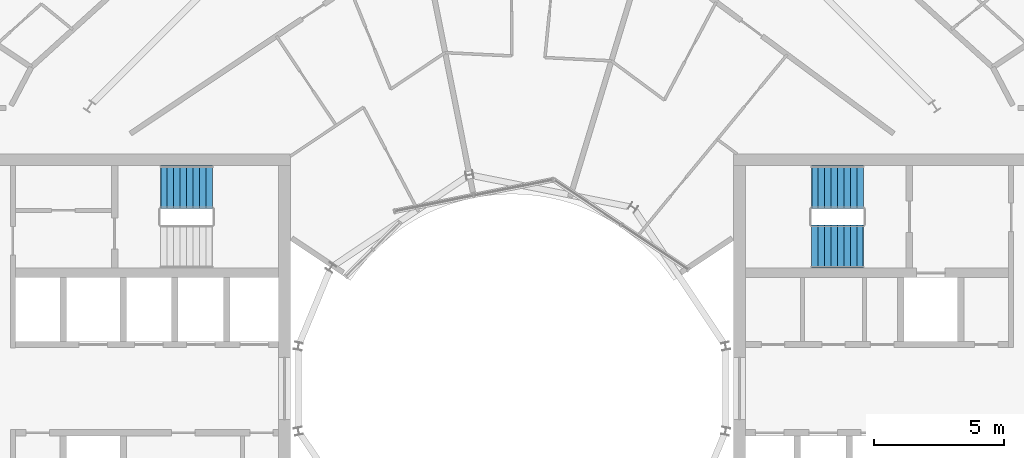
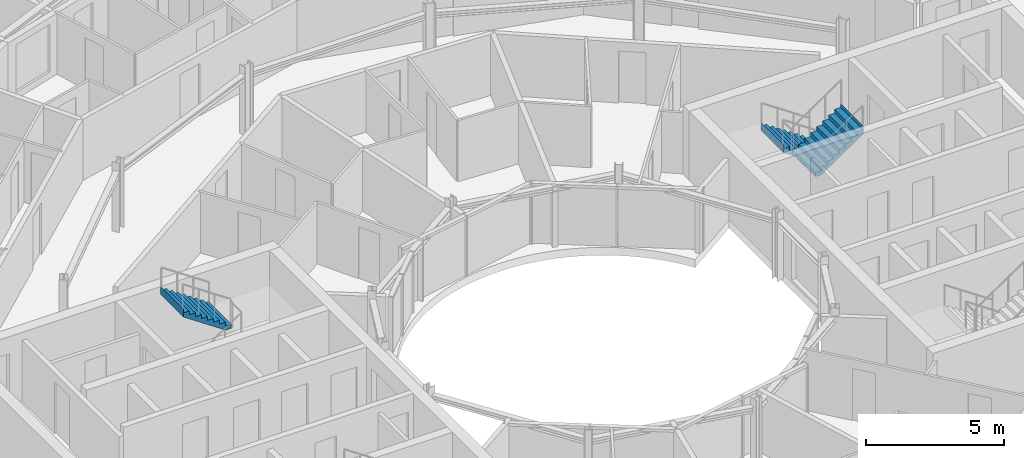
# One storey, part 27 of 29: 3 stair flights, 2 elements without a shape of their own.
"""IFC4 building model written with IfcOpenShell, lengths in metres."""

from ifc_helpers import new_model, si_unit, direction, frame, origin, place, context, subcontext, project, spatial, triangles, material, type_object, element, aggregate, save


model = new_model("IFC4")

# Units and contexts
model_context = context("Model", 3, precision=1e-05, world=origin(), true_north=direction((0.0, 1.0)))
body_context = subcontext(model_context, "Body", "Model", "MODEL_VIEW")
ifc_project = project(units=[si_unit("LENGTHUNIT", "METRE"), si_unit("AREAUNIT", "SQUARE_METRE"), si_unit("VOLUMEUNIT", "CUBIC_METRE"), si_unit("PLANEANGLEUNIT", "RADIAN"), si_unit("MASSUNIT", "GRAM", prefix="KILO")], contexts=[model_context])

# Site, building, storey
site_placement = place(None, origin())
site = spatial("IfcSite", under=ifc_project, at=site_placement, CompositionType="ELEMENT")
building_placement = place(site_placement, origin())
building = spatial("IfcBuilding", under=site, at=building_placement, Name="Maasbend Ring Residences", CompositionType="ELEMENT")
storey_placement = place(building_placement, frame((0.0, 0.0, 193.25)))
storey = spatial("IfcBuildingStorey", under=building, at=storey_placement, Name="L55", CompositionType="ELEMENT", Elevation=193.25)

# Stair, stair flights
ifc_material_1 = material(Name="Concrete C40/50", Category="concrete")
stair_type = type_object("IfcStairType", Name="CORE STAIR 18 RISERS", PredefinedType="HALF_TURN_STAIR", material=ifc_material_1)
stair_1_placement = place(storey_placement, origin())
stair_1 = element("IfcStair", 1, at=stair_1_placement, inside=storey, type_object=stair_type, Name="L55 Exit stair ST-E1", PredefinedType="HALF_TURN_STAIR")
ifc_material_2 = material(Name="Concrete C40/50", Category="concrete")
stair_flight_type = type_object("IfcStairFlightType", Name="CORE STAIR FLIGHT 1650", PredefinedType="STRAIGHT", material=ifc_material_2)
stair_flight_1_placement = place(storey_placement, frame((13.550048828125, 7.77490234375, 0.0), z_axis=(0.0, 0.0, 1.0), x_axis=(-1.0, 0.0, 0.0)))
stair_flight_1 = element("IfcStairFlight", 2, at=stair_flight_1_placement, type_object=stair_flight_type, Name="ST-E1 flight 1", NumberOfRisers=9, NumberOfTreads=8, PredefinedType="STRAIGHT", RiserHeight=0.169444444, TreadLength=0.25, context=body_context, shape_type="Tessellation", body=[
    triangles([(0.24072265625, 0.824951171875, -0.02001953125), (2.0029296875, 0.824951171875, 1.174560546875), (2.0029296875, 0.824951171875, 1.52490234375), (1.989990234375, 0.824951171875, 1.35546875), (1.75, 0.824951171875, 1.35546875), (1.75, 0.824951171875, 1.18603515625), (1.5, 0.824951171875, 1.18603515625), (1.5, 0.824951171875, 1.0166015625), (1.25, 0.824951171875, 1.0166015625), (1.25, 0.824951171875, 0.84716796875), (1.0, 0.824951171875, 0.84716796875), (1.0, 0.824951171875, 0.677734375), (0.75, 0.824951171875, 0.677734375), (0.75, 0.824951171875, 0.50830078125), (0.5, 0.824951171875, 0.50830078125), (0.5, 0.824951171875, 0.3388671875), (0.25, 0.824951171875, 0.3388671875), (0.25, 0.824951171875, 0.16943359375), (0.0, 0.824951171875, 0.16943359375), (0.0, 0.824951171875, 0.0), (-0.0029296875, 0.824951171875, 0.0), (-0.0029296875, 0.824951171875, -0.02001953125), (0.24072265625, 0.27490234375, -0.02001953125), (2.0029296875, 0.27490234375, 1.174560546875), (2.0029296875, 0.27490234375, 1.52490234375), (1.989990234375, 0.27490234375, 1.35546875), (1.75, 0.27490234375, 1.35546875), (1.75, 0.27490234375, 1.18603515625), (1.5, 0.27490234375, 1.18603515625), (1.5, 0.27490234375, 1.0166015625), (1.25, 0.27490234375, 1.0166015625), (1.25, 0.27490234375, 0.84716796875), (1.0, 0.27490234375, 0.84716796875), (1.0, 0.27490234375, 0.677734375), (0.75, 0.27490234375, 0.677734375), (0.75, 0.27490234375, 0.50830078125), (0.5, 0.27490234375, 0.50830078125), (0.5, 0.27490234375, 0.3388671875), (0.25, 0.27490234375, 0.3388671875), (0.25, 0.27490234375, 0.16943359375), (0.0, 0.27490234375, 0.16943359375), (0.0, 0.27490234375, 0.0), (-0.0029296875, 0.27490234375, 0.0), (-0.0029296875, 0.27490234375, -0.02001953125), (0.24072265625, -0.27490234375, -0.02001953125), (2.0029296875, -0.27490234375, 1.174560546875), (2.0029296875, -0.27490234375, 1.52490234375), (1.989990234375, -0.27490234375, 1.35546875), (1.75, -0.27490234375, 1.35546875), (1.75, -0.27490234375, 1.18603515625), (1.5, -0.27490234375, 1.18603515625), (1.5, -0.27490234375, 1.0166015625), (1.25, -0.27490234375, 1.0166015625), (1.25, -0.27490234375, 0.84716796875), (1.0, -0.27490234375, 0.84716796875), (1.0, -0.27490234375, 0.677734375), (0.75, -0.27490234375, 0.677734375), (0.75, -0.27490234375, 0.50830078125), (0.5, -0.27490234375, 0.50830078125), (0.5, -0.27490234375, 0.3388671875), (0.25, -0.27490234375, 0.3388671875), (0.25, -0.27490234375, 0.16943359375), (0.0, -0.27490234375, 0.16943359375), (0.0, -0.27490234375, 0.0), (-0.0029296875, -0.27490234375, 0.0), (-0.0029296875, -0.27490234375, -0.02001953125), (0.24072265625, -0.824951171875, -0.02001953125), (2.0029296875, -0.824951171875, 1.174560546875), (2.0029296875, -0.824951171875, 1.52490234375), (1.989990234375, -0.824951171875, 1.35546875), (1.75, -0.824951171875, 1.35546875), (1.75, -0.824951171875, 1.18603515625), (1.5, -0.824951171875, 1.18603515625), (1.5, -0.824951171875, 1.0166015625), (1.25, -0.824951171875, 1.0166015625), (1.25, -0.824951171875, 0.84716796875), (1.0, -0.824951171875, 0.84716796875), (1.0, -0.824951171875, 0.677734375), (0.75, -0.824951171875, 0.677734375), (0.75, -0.824951171875, 0.50830078125), (0.5, -0.824951171875, 0.50830078125), (0.5, -0.824951171875, 0.3388671875), (0.25, -0.824951171875, 0.3388671875), (0.25, -0.824951171875, 0.16943359375), (0.0, -0.824951171875, 0.16943359375), (0.0, -0.824951171875, 0.0), (-0.0029296875, -0.824951171875, 0.0), (-0.0029296875, -0.824951171875, -0.02001953125)], [[1, 2, 24], [1, 24, 23], [23, 24, 46], [23, 46, 45], [45, 46, 68], [45, 68, 67], [2, 3, 25], [2, 25, 24], [24, 25, 47], [24, 47, 46], [46, 47, 69], [46, 69, 68], [3, 4, 26], [3, 26, 25], [25, 26, 48], [25, 48, 47], [47, 48, 70], [47, 70, 69], [4, 5, 27], [4, 27, 26], [26, 27, 49], [26, 49, 48], [48, 49, 71], [48, 71, 70], [5, 6, 28], [5, 28, 27], [27, 28, 50], [27, 50, 49], [49, 50, 72], [49, 72, 71], [6, 7, 29], [6, 29, 28], [28, 29, 51], [28, 51, 50], [50, 51, 73], [50, 73, 72], [7, 8, 30], [7, 30, 29], [29, 30, 52], [29, 52, 51], [51, 52, 74], [51, 74, 73], [8, 9, 31], [8, 31, 30], [30, 31, 53], [30, 53, 52], [52, 53, 75], [52, 75, 74], [9, 10, 32], [9, 32, 31], [31, 32, 54], [31, 54, 53], [53, 54, 76], [53, 76, 75], [10, 11, 33], [10, 33, 32], [32, 33, 55], [32, 55, 54], [54, 55, 77], [54, 77, 76], [11, 12, 34], [11, 34, 33], [33, 34, 56], [33, 56, 55], [55, 56, 78], [55, 78, 77], [12, 13, 35], [12, 35, 34], [34, 35, 57], [34, 57, 56], [56, 57, 79], [56, 79, 78], [13, 14, 36], [13, 36, 35], [35, 36, 58], [35, 58, 57], [57, 58, 80], [57, 80, 79], [14, 15, 37], [14, 37, 36], [36, 37, 59], [36, 59, 58], [58, 59, 81], [58, 81, 80], [15, 16, 38], [15, 38, 37], [37, 38, 60], [37, 60, 59], [59, 60, 82], [59, 82, 81], [16, 17, 39], [16, 39, 38], [38, 39, 61], [38, 61, 60], [60, 61, 83], [60, 83, 82], [17, 18, 40], [17, 40, 39], [39, 40, 62], [39, 62, 61], [61, 62, 84], [61, 84, 83], [18, 19, 41], [18, 41, 40], [40, 41, 63], [40, 63, 62], [62, 63, 85], [62, 85, 84], [19, 20, 42], [19, 42, 41], [41, 42, 64], [41, 64, 63], [63, 64, 86], [63, 86, 85], [20, 21, 43], [20, 43, 42], [42, 43, 65], [42, 65, 64], [64, 65, 87], [64, 87, 86], [21, 22, 44], [21, 44, 43], [43, 44, 66], [43, 66, 65], [65, 66, 88], [65, 88, 87], [22, 1, 23], [22, 23, 44], [44, 23, 45], [44, 45, 66], [66, 45, 67], [66, 67, 88], [22, 2, 1], [2, 4, 3], [2, 5, 4], [2, 6, 5], [22, 6, 2], [6, 8, 7], [22, 8, 6], [8, 10, 9], [22, 10, 8], [10, 12, 11], [22, 12, 10], [12, 14, 13], [22, 14, 12], [14, 16, 15], [22, 16, 14], [16, 18, 17], [22, 18, 16], [18, 20, 19], [22, 20, 18], [20, 22, 21], [88, 67, 68], [68, 69, 70], [68, 70, 71], [68, 71, 72], [88, 68, 72], [72, 73, 74], [88, 72, 74], [74, 75, 76], [88, 74, 76], [76, 77, 78], [88, 76, 78], [78, 79, 80], [88, 78, 80], [80, 81, 82], [88, 80, 82], [82, 83, 84], [88, 82, 84], [84, 85, 86], [88, 84, 86], [86, 87, 88]], closed=True),
])
stair_flight_2_placement = place(storey_placement, frame((11.550048828125, 5.47509765625, 1.52490234375), z_axis=(0.0, 0.0, 1.0), x_axis=(1.0, 0.0, 0.0)))
stair_flight_2 = element("IfcStairFlight", 3, at=stair_flight_2_placement, type_object=stair_flight_type, Name="ST-E1 flight 2", NumberOfRisers=9, NumberOfTreads=8, PredefinedType="STRAIGHT", RiserHeight=0.169444444, TreadLength=0.25, context=body_context, shape_type="Tessellation", body=[
    triangles([(0.24072265625, 0.824951171875, -0.02001953125), (2.0029296875, 0.824951171875, 1.174560546875), (2.0029296875, 0.824951171875, 1.52490234375), (1.989990234375, 0.824951171875, 1.35546875), (1.75, 0.824951171875, 1.35546875), (1.75, 0.824951171875, 1.18603515625), (1.5, 0.824951171875, 1.18603515625), (1.5, 0.824951171875, 1.0166015625), (1.25, 0.824951171875, 1.0166015625), (1.25, 0.824951171875, 0.84716796875), (1.0, 0.824951171875, 0.84716796875), (1.0, 0.824951171875, 0.677734375), (0.75, 0.824951171875, 0.677734375), (0.75, 0.824951171875, 0.50830078125), (0.5, 0.824951171875, 0.50830078125), (0.5, 0.824951171875, 0.3388671875), (0.25, 0.824951171875, 0.3388671875), (0.25, 0.824951171875, 0.16943359375), (0.0, 0.824951171875, 0.16943359375), (0.0, 0.824951171875, 0.0), (-0.0029296875, 0.824951171875, 0.0), (-0.0029296875, 0.824951171875, -0.02001953125), (0.24072265625, 0.27490234375, -0.02001953125), (2.0029296875, 0.27490234375, 1.174560546875), (2.0029296875, 0.27490234375, 1.52490234375), (1.989990234375, 0.27490234375, 1.35546875), (1.75, 0.27490234375, 1.35546875), (1.75, 0.27490234375, 1.18603515625), (1.5, 0.27490234375, 1.18603515625), (1.5, 0.27490234375, 1.0166015625), (1.25, 0.27490234375, 1.0166015625), (1.25, 0.27490234375, 0.84716796875), (1.0, 0.27490234375, 0.84716796875), (1.0, 0.27490234375, 0.677734375), (0.75, 0.27490234375, 0.677734375), (0.75, 0.27490234375, 0.50830078125), (0.5, 0.27490234375, 0.50830078125), (0.5, 0.27490234375, 0.3388671875), (0.25, 0.27490234375, 0.3388671875), (0.25, 0.27490234375, 0.16943359375), (0.0, 0.27490234375, 0.16943359375), (0.0, 0.27490234375, 0.0), (-0.0029296875, 0.27490234375, 0.0), (-0.0029296875, 0.27490234375, -0.02001953125), (0.24072265625, -0.27490234375, -0.02001953125), (2.0029296875, -0.27490234375, 1.174560546875), (2.0029296875, -0.27490234375, 1.52490234375), (1.989990234375, -0.27490234375, 1.35546875), (1.75, -0.27490234375, 1.35546875), (1.75, -0.27490234375, 1.18603515625), (1.5, -0.27490234375, 1.18603515625), (1.5, -0.27490234375, 1.0166015625), (1.25, -0.27490234375, 1.0166015625), (1.25, -0.27490234375, 0.84716796875), (1.0, -0.27490234375, 0.84716796875), (1.0, -0.27490234375, 0.677734375), (0.75, -0.27490234375, 0.677734375), (0.75, -0.27490234375, 0.50830078125), (0.5, -0.27490234375, 0.50830078125), (0.5, -0.27490234375, 0.3388671875), (0.25, -0.27490234375, 0.3388671875), (0.25, -0.27490234375, 0.16943359375), (0.0, -0.27490234375, 0.16943359375), (0.0, -0.27490234375, 0.0), (-0.0029296875, -0.27490234375, 0.0), (-0.0029296875, -0.27490234375, -0.02001953125), (0.24072265625, -0.824951171875, -0.02001953125), (2.0029296875, -0.824951171875, 1.174560546875), (2.0029296875, -0.824951171875, 1.52490234375), (1.989990234375, -0.824951171875, 1.35546875), (1.75, -0.824951171875, 1.35546875), (1.75, -0.824951171875, 1.18603515625), (1.5, -0.824951171875, 1.18603515625), (1.5, -0.824951171875, 1.0166015625), (1.25, -0.824951171875, 1.0166015625), (1.25, -0.824951171875, 0.84716796875), (1.0, -0.824951171875, 0.84716796875), (1.0, -0.824951171875, 0.677734375), (0.75, -0.824951171875, 0.677734375), (0.75, -0.824951171875, 0.50830078125), (0.5, -0.824951171875, 0.50830078125), (0.5, -0.824951171875, 0.3388671875), (0.25, -0.824951171875, 0.3388671875), (0.25, -0.824951171875, 0.16943359375), (0.0, -0.824951171875, 0.16943359375), (0.0, -0.824951171875, 0.0), (-0.0029296875, -0.824951171875, 0.0), (-0.0029296875, -0.824951171875, -0.02001953125)], [[1, 2, 24], [1, 24, 23], [23, 24, 46], [23, 46, 45], [45, 46, 68], [45, 68, 67], [2, 3, 25], [2, 25, 24], [24, 25, 47], [24, 47, 46], [46, 47, 69], [46, 69, 68], [3, 4, 26], [3, 26, 25], [25, 26, 48], [25, 48, 47], [47, 48, 70], [47, 70, 69], [4, 5, 27], [4, 27, 26], [26, 27, 49], [26, 49, 48], [48, 49, 71], [48, 71, 70], [5, 6, 28], [5, 28, 27], [27, 28, 50], [27, 50, 49], [49, 50, 72], [49, 72, 71], [6, 7, 29], [6, 29, 28], [28, 29, 51], [28, 51, 50], [50, 51, 73], [50, 73, 72], [7, 8, 30], [7, 30, 29], [29, 30, 52], [29, 52, 51], [51, 52, 74], [51, 74, 73], [8, 9, 31], [8, 31, 30], [30, 31, 53], [30, 53, 52], [52, 53, 75], [52, 75, 74], [9, 10, 32], [9, 32, 31], [31, 32, 54], [31, 54, 53], [53, 54, 76], [53, 76, 75], [10, 11, 33], [10, 33, 32], [32, 33, 55], [32, 55, 54], [54, 55, 77], [54, 77, 76], [11, 12, 34], [11, 34, 33], [33, 34, 56], [33, 56, 55], [55, 56, 78], [55, 78, 77], [12, 13, 35], [12, 35, 34], [34, 35, 57], [34, 57, 56], [56, 57, 79], [56, 79, 78], [13, 14, 36], [13, 36, 35], [35, 36, 58], [35, 58, 57], [57, 58, 80], [57, 80, 79], [14, 15, 37], [14, 37, 36], [36, 37, 59], [36, 59, 58], [58, 59, 81], [58, 81, 80], [15, 16, 38], [15, 38, 37], [37, 38, 60], [37, 60, 59], [59, 60, 82], [59, 82, 81], [16, 17, 39], [16, 39, 38], [38, 39, 61], [38, 61, 60], [60, 61, 83], [60, 83, 82], [17, 18, 40], [17, 40, 39], [39, 40, 62], [39, 62, 61], [61, 62, 84], [61, 84, 83], [18, 19, 41], [18, 41, 40], [40, 41, 63], [40, 63, 62], [62, 63, 85], [62, 85, 84], [19, 20, 42], [19, 42, 41], [41, 42, 64], [41, 64, 63], [63, 64, 86], [63, 86, 85], [20, 21, 43], [20, 43, 42], [42, 43, 65], [42, 65, 64], [64, 65, 87], [64, 87, 86], [21, 22, 44], [21, 44, 43], [43, 44, 66], [43, 66, 65], [65, 66, 88], [65, 88, 87], [22, 1, 23], [22, 23, 44], [44, 23, 45], [44, 45, 66], [66, 45, 67], [66, 67, 88], [22, 2, 1], [2, 4, 3], [2, 5, 4], [2, 6, 5], [22, 6, 2], [6, 8, 7], [22, 8, 6], [8, 10, 9], [22, 10, 8], [10, 12, 11], [22, 12, 10], [12, 14, 13], [22, 14, 12], [14, 16, 15], [22, 16, 14], [16, 18, 17], [22, 18, 16], [18, 20, 19], [22, 20, 18], [20, 22, 21], [88, 67, 68], [68, 69, 70], [68, 70, 71], [68, 71, 72], [88, 68, 72], [72, 73, 74], [88, 72, 74], [74, 75, 76], [88, 74, 76], [76, 77, 78], [88, 76, 78], [78, 79, 80], [88, 78, 80], [80, 81, 82], [88, 80, 82], [82, 83, 84], [88, 82, 84], [84, 85, 86], [88, 84, 86], [86, 87, 88]], closed=True),
])
aggregate(stair_1, [stair_flight_1, stair_flight_2])

# Stair, stair flight
stair_2_placement = place(storey_placement, origin())
stair_2 = element("IfcStair", 4, at=stair_2_placement, inside=storey, type_object=stair_type, Name="L55 Exit stair ST-W2", PredefinedType="HALF_TURN_STAIR")
stair_flight_3_placement = place(storey_placement, frame((-11.550048828125, 7.77490234375, 1.52490234375), z_axis=(0.0, 0.0, 1.0), x_axis=(-1.0, 0.0, 0.0)))
stair_flight_3 = element("IfcStairFlight", 5, at=stair_flight_3_placement, type_object=stair_flight_type, Name="ST-W2 flight 2", NumberOfRisers=9, NumberOfTreads=8, PredefinedType="STRAIGHT", RiserHeight=0.169444444, TreadLength=0.25, context=body_context, shape_type="Tessellation", body=[
    triangles([(0.24072265625, 0.824951171875, -0.02001953125), (2.0029296875, 0.824951171875, 1.174560546875), (2.0029296875, 0.824951171875, 1.52490234375), (1.989990234375, 0.824951171875, 1.35546875), (1.75, 0.824951171875, 1.35546875), (1.75, 0.824951171875, 1.18603515625), (1.5, 0.824951171875, 1.18603515625), (1.5, 0.824951171875, 1.0166015625), (1.25, 0.824951171875, 1.0166015625), (1.25, 0.824951171875, 0.84716796875), (1.0, 0.824951171875, 0.84716796875), (1.0, 0.824951171875, 0.677734375), (0.75, 0.824951171875, 0.677734375), (0.75, 0.824951171875, 0.50830078125), (0.5, 0.824951171875, 0.50830078125), (0.5, 0.824951171875, 0.3388671875), (0.25, 0.824951171875, 0.3388671875), (0.25, 0.824951171875, 0.16943359375), (0.0, 0.824951171875, 0.16943359375), (0.0, 0.824951171875, 0.0), (-0.0029296875, 0.824951171875, 0.0), (-0.0029296875, 0.824951171875, -0.02001953125), (0.24072265625, 0.27490234375, -0.02001953125), (2.0029296875, 0.27490234375, 1.174560546875), (2.0029296875, 0.27490234375, 1.52490234375), (1.989990234375, 0.27490234375, 1.35546875), (1.75, 0.27490234375, 1.35546875), (1.75, 0.27490234375, 1.18603515625), (1.5, 0.27490234375, 1.18603515625), (1.5, 0.27490234375, 1.0166015625), (1.25, 0.27490234375, 1.0166015625), (1.25, 0.27490234375, 0.84716796875), (1.0, 0.27490234375, 0.84716796875), (1.0, 0.27490234375, 0.677734375), (0.75, 0.27490234375, 0.677734375), (0.75, 0.27490234375, 0.50830078125), (0.5, 0.27490234375, 0.50830078125), (0.5, 0.27490234375, 0.3388671875), (0.25, 0.27490234375, 0.3388671875), (0.25, 0.27490234375, 0.16943359375), (0.0, 0.27490234375, 0.16943359375), (0.0, 0.27490234375, 0.0), (-0.0029296875, 0.27490234375, 0.0), (-0.0029296875, 0.27490234375, -0.02001953125), (0.24072265625, -0.27490234375, -0.02001953125), (2.0029296875, -0.27490234375, 1.174560546875), (2.0029296875, -0.27490234375, 1.52490234375), (1.989990234375, -0.27490234375, 1.35546875), (1.75, -0.27490234375, 1.35546875), (1.75, -0.27490234375, 1.18603515625), (1.5, -0.27490234375, 1.18603515625), (1.5, -0.27490234375, 1.0166015625), (1.25, -0.27490234375, 1.0166015625), (1.25, -0.27490234375, 0.84716796875), (1.0, -0.27490234375, 0.84716796875), (1.0, -0.27490234375, 0.677734375), (0.75, -0.27490234375, 0.677734375), (0.75, -0.27490234375, 0.50830078125), (0.5, -0.27490234375, 0.50830078125), (0.5, -0.27490234375, 0.3388671875), (0.25, -0.27490234375, 0.3388671875), (0.25, -0.27490234375, 0.16943359375), (0.0, -0.27490234375, 0.16943359375), (0.0, -0.27490234375, 0.0), (-0.0029296875, -0.27490234375, 0.0), (-0.0029296875, -0.27490234375, -0.02001953125), (0.24072265625, -0.824951171875, -0.02001953125), (2.0029296875, -0.824951171875, 1.174560546875), (2.0029296875, -0.824951171875, 1.52490234375), (1.989990234375, -0.824951171875, 1.35546875), (1.75, -0.824951171875, 1.35546875), (1.75, -0.824951171875, 1.18603515625), (1.5, -0.824951171875, 1.18603515625), (1.5, -0.824951171875, 1.0166015625), (1.25, -0.824951171875, 1.0166015625), (1.25, -0.824951171875, 0.84716796875), (1.0, -0.824951171875, 0.84716796875), (1.0, -0.824951171875, 0.677734375), (0.75, -0.824951171875, 0.677734375), (0.75, -0.824951171875, 0.50830078125), (0.5, -0.824951171875, 0.50830078125), (0.5, -0.824951171875, 0.3388671875), (0.25, -0.824951171875, 0.3388671875), (0.25, -0.824951171875, 0.16943359375), (0.0, -0.824951171875, 0.16943359375), (0.0, -0.824951171875, 0.0), (-0.0029296875, -0.824951171875, 0.0), (-0.0029296875, -0.824951171875, -0.02001953125)], [[1, 2, 24], [1, 24, 23], [23, 24, 46], [23, 46, 45], [45, 46, 68], [45, 68, 67], [2, 3, 25], [2, 25, 24], [24, 25, 47], [24, 47, 46], [46, 47, 69], [46, 69, 68], [3, 4, 26], [3, 26, 25], [25, 26, 48], [25, 48, 47], [47, 48, 70], [47, 70, 69], [4, 5, 27], [4, 27, 26], [26, 27, 49], [26, 49, 48], [48, 49, 71], [48, 71, 70], [5, 6, 28], [5, 28, 27], [27, 28, 50], [27, 50, 49], [49, 50, 72], [49, 72, 71], [6, 7, 29], [6, 29, 28], [28, 29, 51], [28, 51, 50], [50, 51, 73], [50, 73, 72], [7, 8, 30], [7, 30, 29], [29, 30, 52], [29, 52, 51], [51, 52, 74], [51, 74, 73], [8, 9, 31], [8, 31, 30], [30, 31, 53], [30, 53, 52], [52, 53, 75], [52, 75, 74], [9, 10, 32], [9, 32, 31], [31, 32, 54], [31, 54, 53], [53, 54, 76], [53, 76, 75], [10, 11, 33], [10, 33, 32], [32, 33, 55], [32, 55, 54], [54, 55, 77], [54, 77, 76], [11, 12, 34], [11, 34, 33], [33, 34, 56], [33, 56, 55], [55, 56, 78], [55, 78, 77], [12, 13, 35], [12, 35, 34], [34, 35, 57], [34, 57, 56], [56, 57, 79], [56, 79, 78], [13, 14, 36], [13, 36, 35], [35, 36, 58], [35, 58, 57], [57, 58, 80], [57, 80, 79], [14, 15, 37], [14, 37, 36], [36, 37, 59], [36, 59, 58], [58, 59, 81], [58, 81, 80], [15, 16, 38], [15, 38, 37], [37, 38, 60], [37, 60, 59], [59, 60, 82], [59, 82, 81], [16, 17, 39], [16, 39, 38], [38, 39, 61], [38, 61, 60], [60, 61, 83], [60, 83, 82], [17, 18, 40], [17, 40, 39], [39, 40, 62], [39, 62, 61], [61, 62, 84], [61, 84, 83], [18, 19, 41], [18, 41, 40], [40, 41, 63], [40, 63, 62], [62, 63, 85], [62, 85, 84], [19, 20, 42], [19, 42, 41], [41, 42, 64], [41, 64, 63], [63, 64, 86], [63, 86, 85], [20, 21, 43], [20, 43, 42], [42, 43, 65], [42, 65, 64], [64, 65, 87], [64, 87, 86], [21, 22, 44], [21, 44, 43], [43, 44, 66], [43, 66, 65], [65, 66, 88], [65, 88, 87], [22, 1, 23], [22, 23, 44], [44, 23, 45], [44, 45, 66], [66, 45, 67], [66, 67, 88], [22, 2, 1], [2, 4, 3], [2, 5, 4], [2, 6, 5], [22, 6, 2], [6, 8, 7], [22, 8, 6], [8, 10, 9], [22, 10, 8], [10, 12, 11], [22, 12, 10], [12, 14, 13], [22, 14, 12], [14, 16, 15], [22, 16, 14], [16, 18, 17], [22, 18, 16], [18, 20, 19], [22, 20, 18], [20, 22, 21], [88, 67, 68], [68, 69, 70], [68, 70, 71], [68, 71, 72], [88, 68, 72], [72, 73, 74], [88, 72, 74], [74, 75, 76], [88, 74, 76], [76, 77, 78], [88, 76, 78], [78, 79, 80], [88, 78, 80], [80, 81, 82], [88, 80, 82], [82, 83, 84], [88, 82, 84], [84, 85, 86], [88, 84, 86], [86, 87, 88]], closed=True),
])
aggregate(stair_2, [stair_flight_3])

save(model, "model.ifc")
